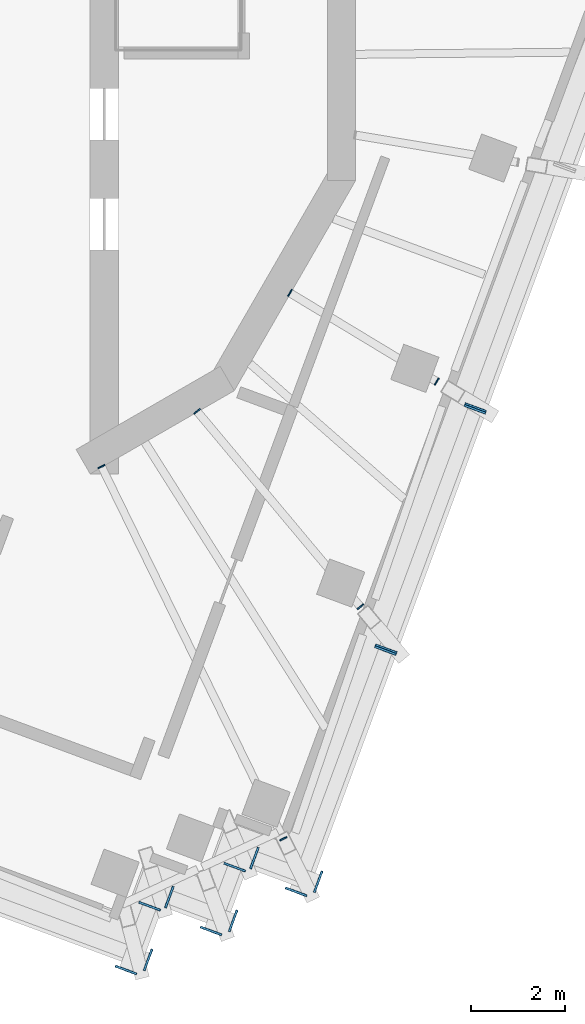
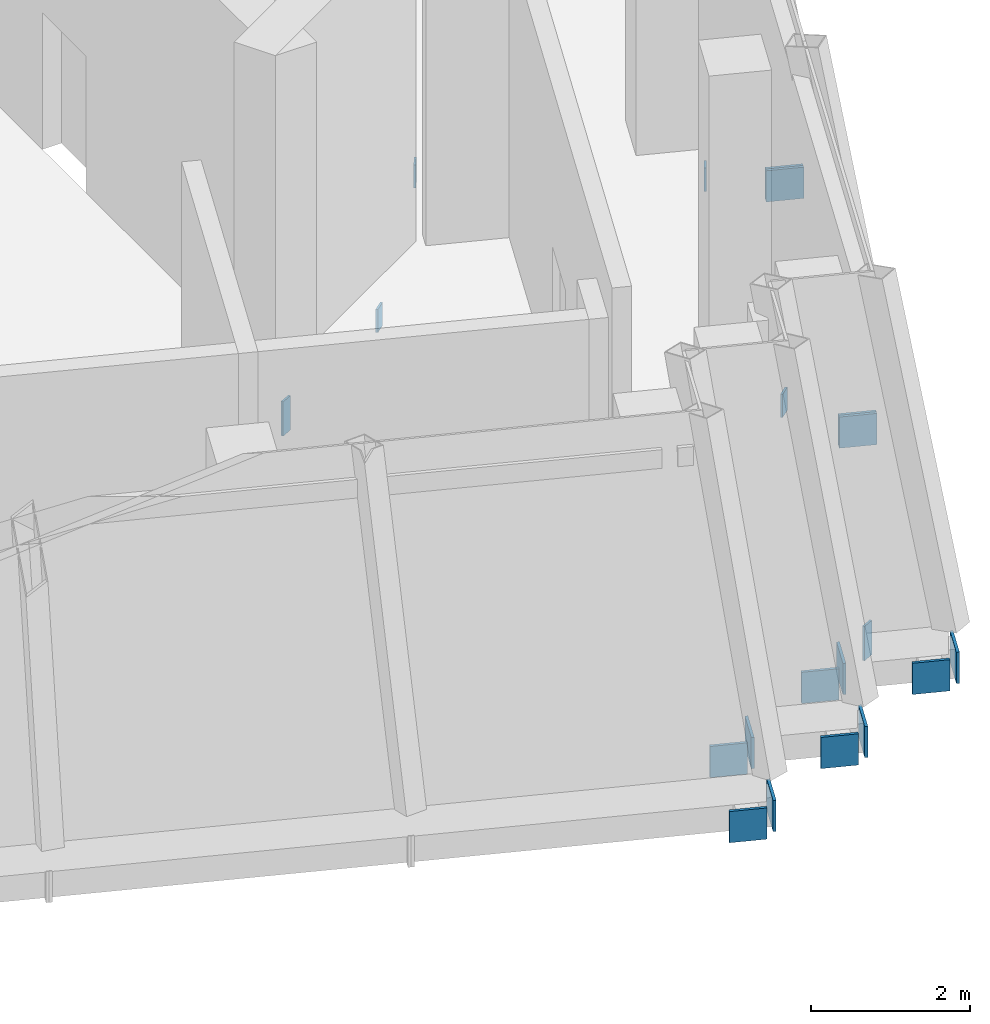
# One storey, part 8 of 13: 20 discrete accessories, 8 elements without a shape of their own.
"""IFC4 building model written with IfcOpenShell, lengths in metres."""

import ifcopenshell
import ifcopenshell.guid

model = None  # the IFC model being written
_history = None  # IfcOwnerHistory: only IFC2X3 demands one
_inside = {}  # id of a spatial element -> (the spatial element, [elements in it])
_under = {}  # id of a project, library or spatial element -> (it, [spatial elements below it])
_declared = {}  # id of a project -> (the project, [libraries it declares])
_typed = {}  # id of a type object -> (the type object, [elements of that type])
_made_of = {}  # id of a material, layer set ... -> (it, [elements and type objects made of it])


def new_model(schema):
    """Start an empty IFC model of exactly this schema.

    Asked for "IFC4X3", IfcOpenShell would pick the latest addendum, in which some entities
    have other attributes; the version numbers below select the first issue.
    IFC2X3 requires an IfcOwnerHistory on every rooted entity: one is made here for all.
    """
    global model, _history
    if schema == "IFC4X3":
        model = ifcopenshell.file(schema_version=(4, 3, 0, 0))
    else:
        model = ifcopenshell.file(schema=schema)
    _inside.clear()
    _under.clear()
    _declared.clear()
    _typed.clear()
    _made_of.clear()
    _history = None
    if model.schema == "IFC2X3":
        org = make("IfcOrganization", Name="unknown")
        user = make(
            "IfcPersonAndOrganization",
            ThePerson=make("IfcPerson", FamilyName="unknown"),
            TheOrganization=org,
        )
        app = make(
            "IfcApplication",
            ApplicationDeveloper=org,
            Version="unknown",
            ApplicationFullName="unknown",
            ApplicationIdentifier="unknown",
        )
        _history = make(
            "IfcOwnerHistory",
            OwningUser=user,
            OwningApplication=app,
            ChangeAction="ADDED",
            CreationDate=0,
        )
    return model


def make(cls, **values):
    """One entity of the class cls with the attributes given. An attribute that is None is left unset."""
    return model.create_entity(
        cls, **{name: value for name, value in values.items() if value is not None}
    )


def rooted(cls, **values):
    """An entity with a GlobalId (a new one), such as an element, a storey or a relation."""
    return make(cls, GlobalId=ifcopenshell.guid.new(), OwnerHistory=_history, **values)


def si_unit(unit_type, name, prefix=None):
    """IfcSIUnit, for example si_unit("LENGTHUNIT", "METRE", prefix="MILLI")."""
    return make("IfcSIUnit", UnitType=unit_type, Prefix=prefix, Name=name)


def assignment(units):
    """IfcUnitAssignment: the units of a project."""
    return None if units is None else make("IfcUnitAssignment", Units=units)


def point(xyz):
    """IfcCartesianPoint."""
    return None if xyz is None else make("IfcCartesianPoint", Coordinates=xyz)


def direction(xyz):
    """IfcDirection."""
    return None if xyz is None else make("IfcDirection", DirectionRatios=xyz)


def frame(location, z_axis=None, x_axis=None):
    """IfcAxis2Placement3D, a coordinate frame: its origin and axes. An axis left out is left unset."""
    return make(
        "IfcAxis2Placement3D",
        Location=point(location),
        Axis=direction(z_axis),
        RefDirection=direction(x_axis),
    )


def origin():
    """The frame at (0, 0, 0) with its axes left unset."""
    return frame((0.0, 0.0, 0.0))


def place(relative_to, where):
    """IfcLocalPlacement: puts the frame where relative to a parent placement (None: the world)."""
    return make(
        "IfcLocalPlacement", PlacementRelTo=relative_to, RelativePlacement=where
    )


def context(
    kind, dimensions, precision=None, world=None, true_north=None, identifier=None
):
    """IfcGeometricRepresentationContext, for example the 3D "Model" context."""
    return make(
        "IfcGeometricRepresentationContext",
        ContextIdentifier=identifier,
        ContextType=kind,
        CoordinateSpaceDimension=dimensions,
        Precision=precision,
        WorldCoordinateSystem=world,
        TrueNorth=true_north,
    )


def subcontext(parent, identifier, kind, view, scale=None):
    """IfcGeometricRepresentationSubContext, for example "Body" below "Model"."""
    return make(
        "IfcGeometricRepresentationSubContext",
        ContextIdentifier=identifier,
        ContextType=kind,
        ParentContext=parent,
        TargetScale=scale,
        TargetView=view,
    )


def project(units=None, contexts=None):
    """IfcProject with its units and contexts."""
    return rooted(
        "IfcProject",
        Name="project",
        RepresentationContexts=contexts,
        UnitsInContext=assignment(units),
    )


def spatial(cls, under=None, at=None, **own):
    """A site, building, storey or space (cls), placed at a placement, below another one or the project."""
    s = rooted(cls, ObjectPlacement=at, **own)
    if under is not None:
        _under.setdefault(under.id(), (under, []))[1].append(s)
    return s


def polyline(points):
    """IfcPolyline through the points."""
    return make("IfcPolyline", Points=[point(p) for p in points])


def outline(outer, holes=None, kind="AREA"):
    """IfcArbitraryClosedProfileDef: a profile drawn as a closed curve; with holes, ...WithVoids."""
    if holes is None:
        return make("IfcArbitraryClosedProfileDef", ProfileType=kind, OuterCurve=outer)
    return make(
        "IfcArbitraryProfileDefWithVoids",
        ProfileType=kind,
        OuterCurve=outer,
        InnerCurves=holes,
    )


def extrude(swept, where, along, depth):
    """IfcExtrudedAreaSolid: the profile swept, set in the frame where, extruded along a direction by depth."""
    return make(
        "IfcExtrudedAreaSolid",
        SweptArea=swept,
        Position=where,
        ExtrudedDirection=direction(along),
        Depth=depth,
    )


def shape(context_of_items, identifier, shape_type, items):
    """IfcShapeRepresentation: the items that make up one representation, for example the "Body"."""
    return make(
        "IfcShapeRepresentation",
        ContextOfItems=context_of_items,
        RepresentationIdentifier=identifier,
        RepresentationType=shape_type,
        Items=items,
    )


def material(Name=None, Category=None):
    """IfcMaterial."""
    return make("IfcMaterial", Name=Name, Category=Category)


def layer(
    of_material, thickness, ventilated=None, Name=None, Category=None, Priority=None
):
    """IfcMaterialLayer: one layer of a wall or slab, of a material (None: an air gap)."""
    return make(
        "IfcMaterialLayer",
        Material=of_material,
        LayerThickness=thickness,
        IsVentilated=ventilated,
        Name=Name,
        Category=Category,
        Priority=Priority,
    )


def layer_set(layers, Name=None):
    """IfcMaterialLayerSet."""
    return make("IfcMaterialLayerSet", MaterialLayers=layers, LayerSetName=Name)


def made_of(thing, what):
    """Note that an element or type object is made of a material, layer set ...; save() writes the relation."""
    if what is not None:
        _made_of.setdefault(what.id(), (what, []))[1].append(thing)
    return thing


def type_object(cls, material=None, **own):
    """A type object (cls), such as IfcWallType, which elements share."""
    return made_of(rooted(cls, **own), material)


def element(
    cls,
    number,
    at=None,
    inside=None,
    cuts=None,
    type_object=None,
    material=None,
    context=None,
    identifier="Body",
    shape_type=None,
    held_by="IfcProductDefinitionShape",
    body=None,
    shapes=None,
    **own,
):
    """One element of the class cls, such as IfcWall. Its Tag is "e" and its number.

    at: its placement. inside: the storey or other place that contains it. cuts: it is an
    opening in that element (IfcRelVoidsElement). A single representation is given by context,
    identifier, shape_type and body (its items); several are given by shapes. held_by: the class
    of the entity that holds the representations. save() writes the other relations.
    """
    e = rooted(cls, Tag="e%d" % number, ObjectPlacement=at, **own)
    if body is not None:
        shapes = [shape(context, identifier, shape_type, body)]
    if shapes is not None:
        e.Representation = make(held_by, Representations=shapes)
    if inside is not None:
        _inside.setdefault(inside.id(), (inside, []))[1].append(e)
    if cuts is not None:
        rooted(
            "IfcRelVoidsElement", RelatingBuildingElement=cuts, RelatedOpeningElement=e
        )
    if type_object is not None:
        _typed.setdefault(type_object.id(), (type_object, []))[1].append(e)
    return made_of(e, material)


def aggregate(whole, parts):
    """IfcRelAggregates: a whole, such as a stair, and the parts it consists of."""
    return rooted("IfcRelAggregates", RelatingObject=whole, RelatedObjects=parts)


def save(model, path):
    """Write the relations noted so far, then the file.

    IfcRelAggregates (storeys below a building ...), IfcRelContainedInSpatialStructure (elements
    in a storey), IfcRelDefinesByType, IfcRelAssociatesMaterial and IfcRelDeclares: one each for
    every whole, place, type object, material and project.
    """
    for whole, parts in _under.values():
        aggregate(whole, parts)
    for where, things in _inside.values():
        rooted(
            "IfcRelContainedInSpatialStructure",
            RelatedElements=things,
            RelatingStructure=where,
        )
    for kind, things in _typed.values():
        rooted("IfcRelDefinesByType", RelatedObjects=things, RelatingType=kind)
    for what, things in _made_of.values():
        rooted("IfcRelAssociatesMaterial", RelatedObjects=things, RelatingMaterial=what)
    for by, libraries in _declared.values():
        rooted("IfcRelDeclares", RelatingContext=by, RelatedDefinitions=libraries)
    model.write(path)


model = new_model("IFC4")

# Units and contexts
model_context = context("Model", 3, precision=1e-05, world=origin(), true_north=direction((0.0, 1.0)))
body_context = subcontext(model_context, "Body", "Model", "MODEL_VIEW")
ifc_project = project(units=[si_unit("LENGTHUNIT", "METRE"), si_unit("AREAUNIT", "SQUARE_METRE"), si_unit("VOLUMEUNIT", "CUBIC_METRE"), si_unit("PLANEANGLEUNIT", "RADIAN"), si_unit("MASSUNIT", "GRAM", prefix="KILO")], contexts=[model_context])

# Site, building, storey
site_placement = place(None, origin())
site = spatial("IfcSite", under=ifc_project, at=site_placement, CompositionType="ELEMENT")
building_placement = place(site_placement, origin())
building = spatial("IfcBuilding", under=site, at=building_placement, Name="Cantera Rosa Tower", CompositionType="ELEMENT")
storey_placement = place(building_placement, frame((0.0, 0.0, 350.699951171875)))
storey = spatial("IfcBuildingStorey", under=building, at=storey_placement, Name="L79", CompositionType="ELEMENT", Elevation=350.699951171875)

# Curtain wall, discrete accessory
ifc_material_1 = material(Name="Aluminium frame with clear glass", Category="aluminium")
curtain_wall_type = type_object("IfcCurtainWallType", Name="CW4 CROWN GLAZING", PredefinedType="NOTDEFINED", material=ifc_material_1)
curtain_wall_1_placement = place(storey_placement, origin())
curtain_wall_1 = element("IfcCurtainWall", 1, at=curtain_wall_1_placement, inside=storey, type_object=curtain_wall_type, Name="CW4 L79-23", PredefinedType="NOTDEFINED")
ifc_material_2 = material(Name="Steel S355J2 (EN 10025-2)", Category="steel")
ifc_layer = layer(ifc_material_2, 0.030029296875)
ifc_layer_set = layer_set([ifc_layer], Name="NODE PLATE 30")
discrete_accessory_type = type_object("IfcDiscreteAccessoryType", Name="NODE PLATE 30", PredefinedType="ANCHORPLATE", material=ifc_layer_set)
discrete_accessory_1_placement = place(storey_placement, frame((5.33642578125, -18.982666015625, -0.43505859375), z_axis=(0.937742626232, -0.347330918501, 0.0), x_axis=(-0.347330918501, -0.937742626232, 0.0)))
discrete_accessory_1 = element("IfcDiscreteAccessory", 2, at=discrete_accessory_1_placement, type_object=discrete_accessory_type, Name="END PLATE TE1", PredefinedType="ANCHORPLATE", context=body_context, shape_type="SweptSolid", body=[
    extrude(outline(polyline([(0.0, 0.0), (0.4800840869406107, 0.0), (0.4800840869406107, 0.47998046875), (0.0, 0.47998046875), (0.0, 0.0)])), origin(), (0.0, 0.0, -1.0), 0.0400390625),
])
aggregate(curtain_wall_1, [discrete_accessory_1])

# Curtain wall, discrete accessories
curtain_wall_2_placement = place(storey_placement, origin())
curtain_wall_2 = element("IfcCurtainWall", 3, at=curtain_wall_2_placement, inside=storey, type_object=curtain_wall_type, Name="CW4 L79-24", PredefinedType="NOTDEFINED")
discrete_accessory_2_placement = place(storey_placement, frame((4.98291015625, -19.52099609375, -0.43505859375), z_axis=(-0.347330918501, -0.937742626232, 0.0), x_axis=(-0.937742626232, 0.347330918501, 0.0)))
discrete_accessory_2 = element("IfcDiscreteAccessory", 4, at=discrete_accessory_2_placement, type_object=discrete_accessory_type, Name="END PLATE TE0", PredefinedType="ANCHORPLATE", context=body_context, shape_type="SweptSolid", body=[
    extrude(outline(polyline([(0.0, 0.0), (0.4800840869406107, 0.0), (0.4800840869406107, 0.47998046875), (0.0, 0.47998046875), (0.0, 0.0)])), origin(), (0.0, 0.0, -1.0), 0.0400390625),
])
discrete_accessory_3_placement = place(storey_placement, frame((5.050537109375, -17.95703125, -0.43505859375), z_axis=(0.347330918501, 0.937742626232, 0.0), x_axis=(0.937742626232, -0.347330918501, 0.0)))
discrete_accessory_3 = element("IfcDiscreteAccessory", 5, at=discrete_accessory_3_placement, type_object=discrete_accessory_type, Name="END PLATE TE1", PredefinedType="ANCHORPLATE", context=body_context, shape_type="SweptSolid", body=[
    extrude(outline(polyline([(0.0, 0.0), (0.4800840869406107, 0.0), (0.4800840869406107, 0.47998046875), (0.0, 0.47998046875), (0.0, 0.0)])), origin(), (0.0, 0.0, -1.0), 0.0400390625),
])
aggregate(curtain_wall_2, [discrete_accessory_2, discrete_accessory_3])

curtain_wall_3_placement = place(storey_placement, origin())
curtain_wall_3 = element("IfcCurtainWall", 6, at=curtain_wall_3_placement, inside=storey, type_object=curtain_wall_type, Name="CW4 L79-25", PredefinedType="NOTDEFINED")
discrete_accessory_4_placement = place(storey_placement, frame((5.585205078125, -18.083251953125, -0.43505859375), z_axis=(-0.937681233018, 0.347496626235, 0.0), x_axis=(0.347496626235, 0.937681233018, 0.0)))
discrete_accessory_4 = element("IfcDiscreteAccessory", 7, at=discrete_accessory_4_placement, type_object=discrete_accessory_type, Name="END PLATE TE0", PredefinedType="ANCHORPLATE", context=body_context, shape_type="SweptSolid", body=[
    extrude(outline(polyline([(0.0, 0.0), (0.4798551533622547, 0.0), (0.4798551533622547, 0.47998046875), (0.0, 0.47998046875), (0.0, 0.0)])), origin(), (0.0, 0.0, -1.0), 0.0400390625),
])
discrete_accessory_5_placement = place(storey_placement, frame((7.14892578125, -18.15087890625, -0.43505859375), z_axis=(0.937742626232, -0.347330918501, 0.0), x_axis=(-0.347330918501, -0.937742626232, 0.0)))
discrete_accessory_5 = element("IfcDiscreteAccessory", 8, at=discrete_accessory_5_placement, type_object=discrete_accessory_type, Name="END PLATE TE1", PredefinedType="ANCHORPLATE", context=body_context, shape_type="SweptSolid", body=[
    extrude(outline(polyline([(0.0, 0.0), (0.4800840869406107, 0.0), (0.4800840869406107, 0.47998046875), (0.0, 0.47998046875), (0.0, 0.0)])), origin(), (0.0, 0.0, -1.0), 0.0400390625),
])
aggregate(curtain_wall_3, [discrete_accessory_4, discrete_accessory_5])

curtain_wall_4_placement = place(storey_placement, origin())
curtain_wall_4 = element("IfcCurtainWall", 9, at=curtain_wall_4_placement, inside=storey, type_object=curtain_wall_type, Name="CW4 L79-26", PredefinedType="NOTDEFINED")
discrete_accessory_6_placement = place(storey_placement, frame((6.79541015625, -18.687744140625, -0.43505859375), z_axis=(-0.347330918501, -0.937742626232, 0.0), x_axis=(-0.937742626232, 0.347330918501, 0.0)))
discrete_accessory_6 = element("IfcDiscreteAccessory", 10, at=discrete_accessory_6_placement, type_object=discrete_accessory_type, Name="END PLATE TE0", PredefinedType="ANCHORPLATE", context=body_context, shape_type="SweptSolid", body=[
    extrude(outline(polyline([(0.0, 0.0), (0.4800840869406107, 0.0), (0.4800840869406107, 0.47998046875), (0.0, 0.47998046875), (0.0, 0.0)])), origin(), (0.0, 0.0, -1.0), 0.0400390625),
])
discrete_accessory_7_placement = place(storey_placement, frame((6.863037109375, -17.1240234375, -0.43505859375), z_axis=(0.347496626235, 0.937681233018, 0.0), x_axis=(0.937681233018, -0.347496626235, 0.0)))
discrete_accessory_7 = element("IfcDiscreteAccessory", 11, at=discrete_accessory_7_placement, type_object=discrete_accessory_type, Name="END PLATE TE1", PredefinedType="ANCHORPLATE", context=body_context, shape_type="SweptSolid", body=[
    extrude(outline(polyline([(0.0, 0.0), (0.4798551533622547, 0.0), (0.4798551533622547, 0.47998046875), (0.0, 0.47998046875), (0.0, 0.0)])), origin(), (0.0, 0.0, -1.0), 0.0400390625),
])
aggregate(curtain_wall_4, [discrete_accessory_6, discrete_accessory_7])

curtain_wall_5_placement = place(storey_placement, origin())
curtain_wall_5 = element("IfcCurtainWall", 12, at=curtain_wall_5_placement, inside=storey, type_object=curtain_wall_type, Name="CW4 L79-27", PredefinedType="NOTDEFINED")
discrete_accessory_8_placement = place(storey_placement, frame((7.39794921875, -17.25146484375, -0.43505859375), z_axis=(-0.937742626232, 0.347330918501, 0.0), x_axis=(0.347330918501, 0.937742626232, 0.0)))
discrete_accessory_8 = element("IfcDiscreteAccessory", 13, at=discrete_accessory_8_placement, type_object=discrete_accessory_type, Name="END PLATE TE0", PredefinedType="ANCHORPLATE", context=body_context, shape_type="SweptSolid", body=[
    extrude(outline(polyline([(0.0, 0.0), (0.4800840869406107, 0.0), (0.4800840869406107, 0.47998046875), (0.0, 0.47998046875), (0.0, 0.0)])), origin(), (0.0, 0.0, -1.0), 0.0400390625),
])
discrete_accessory_9_placement = place(storey_placement, frame((8.961669921875, -17.319091796875, -0.43505859375), z_axis=(0.937681233018, -0.347496626235, 0.0), x_axis=(-0.347496626235, -0.937681233018, 0.0)))
discrete_accessory_9 = element("IfcDiscreteAccessory", 14, at=discrete_accessory_9_placement, type_object=discrete_accessory_type, Name="END PLATE TE1", PredefinedType="ANCHORPLATE", context=body_context, shape_type="SweptSolid", body=[
    extrude(outline(polyline([(0.0, 0.0), (0.4798551533622547, 0.0), (0.4798551533622547, 0.47998046875), (0.0, 0.47998046875), (0.0, 0.0)])), origin(), (0.0, 0.0, -1.0), 0.0400390625),
])
aggregate(curtain_wall_5, [discrete_accessory_8, discrete_accessory_9])

curtain_wall_6_placement = place(storey_placement, origin())
curtain_wall_6 = element("IfcCurtainWall", 15, at=curtain_wall_6_placement, inside=storey, type_object=curtain_wall_type, Name="CW4 L79-28", PredefinedType="NOTDEFINED")
discrete_accessory_10_placement = place(storey_placement, frame((8.607666015625, -17.854736328125, -0.43505859375), z_axis=(-0.347330918501, -0.937742626232, 0.0), x_axis=(-0.937742626232, 0.347330918501, 0.0)))
discrete_accessory_10 = element("IfcDiscreteAccessory", 16, at=discrete_accessory_10_placement, type_object=discrete_accessory_type, Name="END PLATE TE0", PredefinedType="ANCHORPLATE", context=body_context, shape_type="SweptSolid", body=[
    extrude(outline(polyline([(0.0, 0.0), (0.4800840869406107, 0.0), (0.4800840869406107, 0.47998046875), (0.0, 0.47998046875), (0.0, 0.0)])), origin(), (0.0, 0.0, -1.0), 0.0400390625),
])
discrete_accessory_11_placement = place(storey_placement, frame((10.091064453125, -12.47021484375, -0.43505859375), z_axis=(0.347777987911, 0.937576914778, 0.0), x_axis=(0.937576914778, -0.347777987911, 0.0)))
discrete_accessory_11 = element("IfcDiscreteAccessory", 17, at=discrete_accessory_11_placement, type_object=discrete_accessory_type, Name="END PLATE TE1", PredefinedType="ANCHORPLATE", context=body_context, shape_type="SweptSolid", body=[
    extrude(outline(polyline([(0.0, 0.0), (0.4801689391068604, 0.0), (0.4801689391068604, 0.47998046875), (0.0, 0.47998046875), (0.0, 0.0)])), origin(), (0.0, 0.0, -1.0), 0.0400390625),
])
aggregate(curtain_wall_6, [discrete_accessory_10, discrete_accessory_11])

curtain_wall_7_placement = place(storey_placement, origin())
curtain_wall_7 = element("IfcCurtainWall", 18, at=curtain_wall_7_placement, inside=storey, type_object=curtain_wall_type, Name="CW4 L79-29", PredefinedType="NOTDEFINED")
discrete_accessory_12_placement = place(storey_placement, frame((10.513427734375, -12.712158203125, -0.43505859375), z_axis=(-0.347330918501, -0.937742626232, 0.0), x_axis=(-0.937742626232, 0.347330918501, 0.0)))
discrete_accessory_12 = element("IfcDiscreteAccessory", 19, at=discrete_accessory_12_placement, type_object=discrete_accessory_type, Name="END PLATE TE0", PredefinedType="ANCHORPLATE", context=body_context, shape_type="SweptSolid", body=[
    extrude(outline(polyline([(0.0, 0.0), (0.4800840869406107, 0.0), (0.4800840869406107, 0.47998046875), (0.0, 0.47998046875), (0.0, 0.0)])), origin(), (0.0, 0.0, -1.0), 0.0400390625),
])
discrete_accessory_13_placement = place(storey_placement, frame((11.996826171875, -7.32763671875, -0.43505859375), z_axis=(0.347330918501, 0.937742626232, 0.0), x_axis=(0.937742626232, -0.347330918501, 0.0)))
discrete_accessory_13 = element("IfcDiscreteAccessory", 20, at=discrete_accessory_13_placement, type_object=discrete_accessory_type, Name="END PLATE TE1", PredefinedType="ANCHORPLATE", context=body_context, shape_type="SweptSolid", body=[
    extrude(outline(polyline([(0.0, 0.0), (0.4800840869406107, 0.0), (0.4800840869406107, 0.47998046875), (0.0, 0.47998046875), (0.0, 0.0)])), origin(), (0.0, 0.0, -1.0), 0.0400390625),
])
aggregate(curtain_wall_7, [discrete_accessory_12, discrete_accessory_13])

# Curtain wall, discrete accessory
curtain_wall_8_placement = place(storey_placement, origin())
curtain_wall_8 = element("IfcCurtainWall", 21, at=curtain_wall_8_placement, inside=storey, type_object=curtain_wall_type, Name="CW4 L79-30", PredefinedType="NOTDEFINED")
discrete_accessory_14_placement = place(storey_placement, frame((12.419189453125, -7.5693359375, -0.43505859375), z_axis=(-0.347330918501, -0.937742626232, 0.0), x_axis=(-0.937742626232, 0.347330918501, 0.0)))
discrete_accessory_14 = element("IfcDiscreteAccessory", 22, at=discrete_accessory_14_placement, type_object=discrete_accessory_type, Name="END PLATE TE0", PredefinedType="ANCHORPLATE", context=body_context, shape_type="SweptSolid", body=[
    extrude(outline(polyline([(0.0, 0.0), (0.4800840869406107, 0.0), (0.4800840869406107, 0.47998046875), (0.0, 0.47998046875), (0.0, 0.0)])), origin(), (0.0, 0.0, -1.0), 0.0400390625),
])
aggregate(curtain_wall_8, [discrete_accessory_14])

# Discrete accessories
discrete_accessory_15_placement = place(storey_placement, frame((0.0, 0.0, -0.97802734375)))
element("IfcDiscreteAccessory", 23, at=discrete_accessory_15_placement, inside=storey, type_object=discrete_accessory_type, Name="END PLATE CG-Z6-11 L79 A", PredefinedType="ANCHORPLATE", context=body_context, shape_type="SweptSolid", body=[
    extrude(outline(polyline([(8.185302734375, -16.569091796875), (8.1982421875, -16.595947265625), (8.04931640625, -16.6689453125), (8.0361328125, -16.641845703125), (8.185302734375, -16.569091796875)])), origin(), (0.0, 0.0, 1.0), 0.528076171875),
])
discrete_accessory_16_placement = place(storey_placement, frame((0.0, 0.0, -0.97802734375)))
element("IfcDiscreteAccessory", 24, at=discrete_accessory_16_placement, inside=storey, type_object=discrete_accessory_type, Name="END PLATE CG-Z6-11 L79 B", PredefinedType="ANCHORPLATE", context=body_context, shape_type="SweptSolid", body=[
    extrude(outline(polyline([(4.1748046875, -8.736572265625), (4.16162109375, -8.709716796875), (4.310791015625, -8.63671875), (4.323974609375, -8.663818359375), (4.1748046875, -8.736572265625)])), origin(), (0.0, 0.0, 1.0), 0.528076171875),
])
discrete_accessory_17_placement = place(storey_placement, frame((0.0, 0.0, -0.805908203125)))
element("IfcDiscreteAccessory", 25, at=discrete_accessory_17_placement, inside=storey, type_object=discrete_accessory_type, Name="END PLATE CG-Z6-12 L79 A", PredefinedType="ANCHORPLATE", context=body_context, shape_type="SweptSolid", body=[
    extrude(outline(polyline([(9.8154296875, -11.608154296875), (9.834716796875, -11.631103515625), (9.70361328125, -11.74072265625), (9.684326171875, -11.7177734375), (9.8154296875, -11.608154296875)])), origin(), (0.0, 0.0, 1.0), 0.35595703125),
])
discrete_accessory_18_placement = place(storey_placement, frame((0.0, 0.0, -0.805908203125)))
element("IfcDiscreteAccessory", 26, at=discrete_accessory_18_placement, inside=storey, type_object=discrete_accessory_type, Name="END PLATE CG-Z6-12 L79 B", PredefinedType="ANCHORPLATE", context=body_context, shape_type="SweptSolid", body=[
    extrude(outline(polyline([(6.22314453125, -7.57763671875), (6.203857421875, -7.554443359375), (6.335205078125, -7.44482421875), (6.354248046875, -7.4677734375), (6.22314453125, -7.57763671875)])), origin(), (0.0, 0.0, 1.0), 0.35595703125),
])
discrete_accessory_19_placement = place(storey_placement, frame((0.0, 0.0, -0.805908203125)))
element("IfcDiscreteAccessory", 27, at=discrete_accessory_19_placement, inside=storey, type_object=discrete_accessory_type, Name="END PLATE CG-Z6-13 L79 A", PredefinedType="ANCHORPLATE", context=body_context, shape_type="SweptSolid", body=[
    extrude(outline(polyline([(11.418212890625, -6.7958984375), (11.44384765625, -6.8115234375), (11.35546875, -6.957763671875), (11.329833984375, -6.9423828125), (11.418212890625, -6.7958984375)])), origin(), (0.0, 0.0, 1.0), 0.35595703125),
])
discrete_accessory_20_placement = place(storey_placement, frame((0.0, 0.0, -0.805908203125)))
element("IfcDiscreteAccessory", 28, at=discrete_accessory_20_placement, inside=storey, type_object=discrete_accessory_type, Name="END PLATE CG-Z6-13 L79 B", PredefinedType="ANCHORPLATE", context=body_context, shape_type="SweptSolid", body=[
    extrude(outline(polyline([(8.225830078125, -5.067626953125), (8.2001953125, -5.05224609375), (8.28857421875, -4.90576171875), (8.314208984375, -4.92138671875), (8.225830078125, -5.067626953125)])), origin(), (0.0, 0.0, 1.0), 0.35595703125),
])

save(model, "model.ifc")
